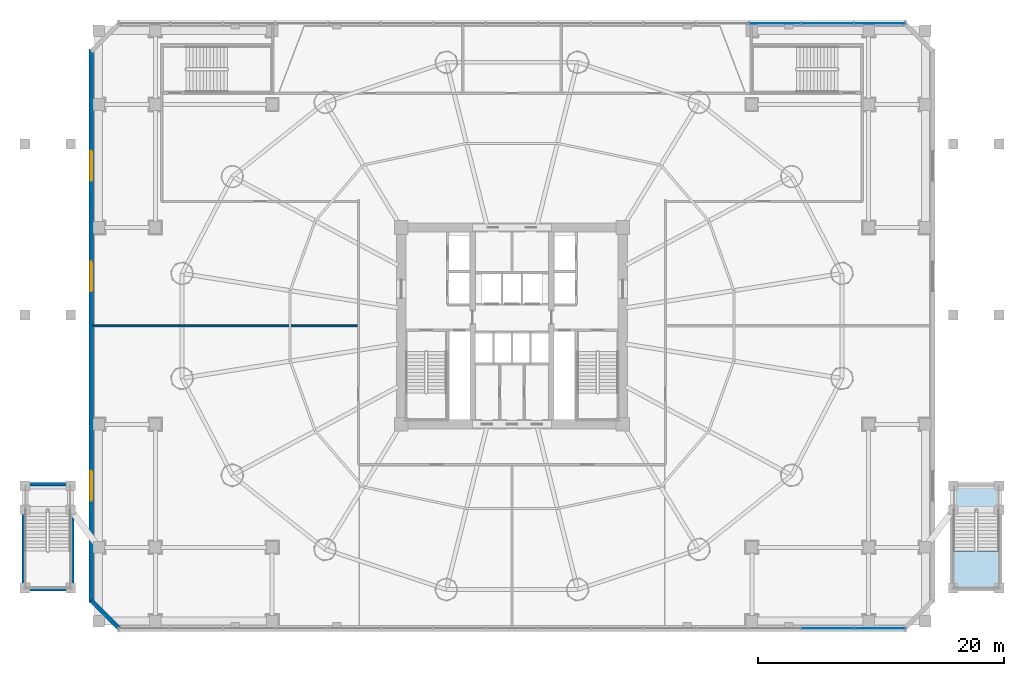
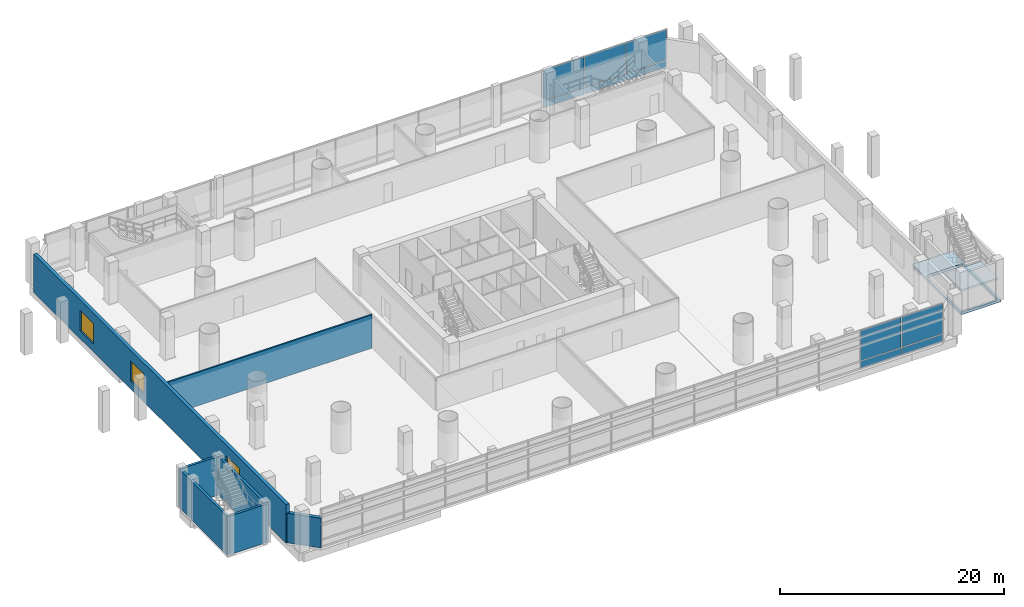
# One storey, part 20 of 36: 10 plates, 7 walls, 3 windows, 2 slabs, 3 openings, 3 elements without a shape of their own.
"""IFC4 building model written with IfcOpenShell, lengths in metres."""

from ifc_helpers import new_model, si_unit, direction, frame, frame_2d, origin, origin_2d, place, context, subcontext, project, spatial, polyline, rectangle, outline, extrude, source, transform, mapped, material, layer, layer_set, type_object, element, fill, aggregate, save


model = new_model("IFC4")

# Units and contexts
model_context = context("Model", 3, precision=1e-05, world=origin(), true_north=direction((-0.2419218956, 0.970295726276)))
body_context = subcontext(model_context, "Body", "Model", "MODEL_VIEW")
ifc_project = project(units=[si_unit("LENGTHUNIT", "METRE"), si_unit("AREAUNIT", "SQUARE_METRE"), si_unit("VOLUMEUNIT", "CUBIC_METRE"), si_unit("PLANEANGLEUNIT", "RADIAN"), si_unit("MASSUNIT", "GRAM", prefix="KILO")], contexts=[model_context])

# Site, building, storey
site_placement = place(None, origin())
site = spatial("IfcSite", under=ifc_project, at=site_placement, CompositionType="ELEMENT")
building_placement = place(site_placement, origin())
building = spatial("IfcBuilding", under=site, at=building_placement, Name="Cobrevalo Terracotta Tower", CompositionType="ELEMENT")
storey_placement = place(building_placement, frame((0.0, 0.0, 9.89990234375)))
storey = spatial("IfcBuildingStorey", under=building, at=storey_placement, Name="L02", CompositionType="ELEMENT", Elevation=9.89990234375)

# Slab
ifc_material_1 = material(Name="Concrete C50", Category="concrete")
ifc_layer_1 = layer(ifc_material_1, 0.300048828125)
ifc_layer_set_1 = layer_set([ifc_layer_1], Name="Concrete C50")
slab_type_1 = type_object("IfcSlabType", Name="Podium L01-L03 floor slab 300 mm", PredefinedType="FLOOR", material=ifc_layer_set_1)
slab_1_placement = place(storey_placement, frame((0.0, 0.0, -0.2998046875)))
element("IfcSlab", 1, at=slab_1_placement, inside=storey, type_object=slab_type_1, Name="L02 East monumental raised-garden stair structural floor landing slab", PredefinedType="FLOOR", context=body_context, shape_type="SweptSolid", body=[
    extrude(outline(polyline([(73.679931640625, 13.949951171875), (77.800048828125, 13.949951171875), (77.800048828125, 5.300048828125), (73.679931640625, 5.300048828125), (73.679931640625, 13.949951171875)]), holes=[polyline([(73.8798828125, 5.5), (77.60009765625, 5.5), (77.60009765625, 11.800048828125), (73.8798828125, 11.800048828125), (73.8798828125, 5.5)])]), origin(), (0.0, 0.0, 1.0), 0.2998046875),
])

# Stair, slab
ifc_material_2 = material(Name="Precast concrete C45", Category="concrete")
stair_type = type_object("IfcStairType", Name="Monumental raised-garden dogleg stair 1850", PredefinedType="HALF_TURN_STAIR", material=ifc_material_2)
stair_placement = place(storey_placement, origin())
stair = element("IfcStair", 2, at=stair_placement, inside=storey, type_object=stair_type, Name="L02 East monumental raised-garden stair", PredefinedType="HALF_TURN_STAIR")
ifc_layer_2 = layer(ifc_material_1, 0.199951171875)
ifc_layer_set_2 = layer_set([ifc_layer_2], Name="Concrete C50")
slab_type_2 = type_object("IfcSlabType", Name="Reinforced Concrete Stair Landing 200", PredefinedType="LANDING", material=ifc_layer_set_2)
slab_2_placement = place(storey_placement, frame((0.0, 0.0, 2.050048828125)))
slab_2 = element("IfcSlab", 3, at=slab_2_placement, type_object=slab_type_2, Name="ST-EXT-E landing 1", PredefinedType="LANDING", context=body_context, shape_type="SweptSolid", body=[
    extrude(outline(polyline([(73.8798828125, 8.489990234375), (73.8798828125, 5.5), (77.60009765625, 5.5), (77.60009765625, 8.489990234375), (73.8798828125, 8.489990234375)])), origin(), (0.0, 0.0, 1.0), 0.199951171875),
])
aggregate(stair, [slab_2])

# Curtain wall, plate
ifc_material_3 = material(Name="Anodized aluminium", Category="aluminium")
curtain_wall_type = type_object("IfcCurtainWallType", Name="Podium gallery & conservatory curtain wall CW-S2", PredefinedType="NOTDEFINED", material=ifc_material_3)
curtain_wall_1_placement = place(storey_placement, origin())
curtain_wall_1 = element("IfcCurtainWall", 4, at=curtain_wall_1_placement, inside=storey, type_object=curtain_wall_type, Name="L02 curtain wall CW-POD-L02-S", PredefinedType="NOTDEFINED")
ifc_material_4 = material(Name="Terracotta-faced insulated spandrel", Category="masonry")
ifc_layer_3 = layer(ifc_material_4, 0.044921875)
ifc_layer_set_3 = layer_set([ifc_layer_3], Name="Terracotta-faced insulated spandrel")
plate_type_1 = type_object("IfcPlateType", Name="Insulated terracotta-faced spandrel cassette 45 mm", PredefinedType="CURTAIN_PANEL", material=ifc_layer_set_3)
shared_shape_1 = source(origin(), body_context, "Body", "SweptSolid", [
    extrude(rectangle(XDim=4.1533203125, YDim=0.044921875, at=origin_2d()), origin(), (0.0, 0.0, 1.0), 0.739990234375),
])
plate_1_placement = place(storey_placement, frame((67.893310546875, 2.199951171875, 0.0400390625), z_axis=(0.0, 0.0, 1.0), x_axis=(1.0, 0.0, 0.0)))
plate_1 = element("IfcPlate", 5, at=plate_1_placement, type_object=plate_type_1, Name="CW-POD-L02-S terracotta spandrel panel B15", PredefinedType="CURTAIN_PANEL", context=body_context, shape_type="MappedRepresentation", body=[
    mapped(shared_shape_1, transform((0.0, 0.0, 0.0), scale=1.0)),
])

curtain_wall_2_placement = place(storey_placement, origin())
curtain_wall_2 = element("IfcCurtainWall", 6, at=curtain_wall_2_placement, inside=storey, type_object=curtain_wall_type, Name="L02 curtain wall CW-POD-L02-N", PredefinedType="NOTDEFINED")
plate_2_placement = place(storey_placement, frame((67.893310546875, 51.39990234375, 0.0400390625), z_axis=(0.0, 0.0, 1.0), x_axis=(-1.0, 0.0, 0.0)))
plate_2 = element("IfcPlate", 7, at=plate_2_placement, type_object=plate_type_1, Name="CW-POD-L02-N terracotta spandrel panel B01", PredefinedType="CURTAIN_PANEL", context=body_context, shape_type="MappedRepresentation", body=[
    mapped(shared_shape_1, transform((0.0, 0.0, 0.0), scale=1.0)),
])

# Plate
ifc_material_5 = material(Name="Laminated low-E double glazing", Category="glass")
ifc_layer_4 = layer(ifc_material_5, 0.031982421875)
ifc_layer_set_4 = layer_set([ifc_layer_4], Name="Laminated low-E double glazing")
plate_type_2 = type_object("IfcPlateType", Name="Podium clear acoustic laminated glazing panel 32 mm", PredefinedType="CURTAIN_PANEL", material=ifc_layer_set_4)
shared_shape_2 = source(origin(), body_context, "Body", "SweptSolid", [
    extrude(rectangle(XDim=4.1533203125, YDim=0.035888671875, at=origin_2d()), origin(), (0.0, 0.0, 1.0), 3.300048828125),
])
plate_3_placement = place(storey_placement, frame((67.893310546875, 2.199951171875, 0.85986328125), z_axis=(0.0, 0.0, 1.0), x_axis=(1.0, 0.0, 0.0)))
plate_3 = element("IfcPlate", 8, at=plate_3_placement, type_object=plate_type_2, Name="CW-POD-L02-S glazing panel B15", PredefinedType="CURTAIN_PANEL", context=body_context, shape_type="MappedRepresentation", body=[
    mapped(shared_shape_2, transform((0.0, 0.0, 0.0), scale=1.0)),
])

plate_4_placement = place(storey_placement, frame((67.893310546875, 51.39990234375, 0.85986328125), z_axis=(0.0, 0.0, 1.0), x_axis=(-1.0, 0.0, 0.0)))
plate_4 = element("IfcPlate", 9, at=plate_4_placement, type_object=plate_type_2, Name="CW-POD-L02-N glazing panel B01", PredefinedType="CURTAIN_PANEL", context=body_context, shape_type="MappedRepresentation", body=[
    mapped(shared_shape_2, transform((0.0, 0.0, 0.0), scale=1.0)),
])

shared_shape_3 = source(origin(), body_context, "Body", "SweptSolid", [
    extrude(rectangle(XDim=4.193359375, YDim=0.044921875, at=origin_2d()), origin(), (0.0, 0.0, 1.0), 0.739990234375),
])
plate_5_placement = place(storey_placement, frame((63.639892578125, 2.199951171875, 0.0400390625), z_axis=(0.0, 0.0, 1.0), x_axis=(1.0, 0.0, 0.0)))
plate_5 = element("IfcPlate", 10, at=plate_5_placement, type_object=plate_type_1, Name="CW-POD-L02-S terracotta spandrel panel B14", PredefinedType="CURTAIN_PANEL", context=body_context, shape_type="MappedRepresentation", body=[
    mapped(shared_shape_3, transform((0.0, 0.0, 0.0), scale=1.0)),
])

plate_6_placement = place(storey_placement, frame((63.639892578125, 51.39990234375, 0.0400390625), z_axis=(0.0, 0.0, 1.0), x_axis=(-1.0, 0.0, 0.0)))
plate_6 = element("IfcPlate", 11, at=plate_6_placement, type_object=plate_type_1, Name="CW-POD-L02-N terracotta spandrel panel B02", PredefinedType="CURTAIN_PANEL", context=body_context, shape_type="MappedRepresentation", body=[
    mapped(shared_shape_3, transform((0.0, 0.0, 0.0), scale=1.0)),
])

plate_7_placement = place(storey_placement, frame((59.36669921875, 51.39990234375, 0.0400390625), z_axis=(0.0, 0.0, 1.0), x_axis=(-1.0, 0.0, 0.0)))
plate_7 = element("IfcPlate", 12, at=plate_7_placement, type_object=plate_type_1, Name="CW-POD-L02-N terracotta spandrel panel B03", PredefinedType="CURTAIN_PANEL", context=body_context, shape_type="MappedRepresentation", body=[
    mapped(shared_shape_3, transform((0.0, 0.0, 0.0), scale=1.0)),
])

shared_shape_4 = source(origin(), body_context, "Body", "SweptSolid", [
    extrude(rectangle(XDim=4.193359375, YDim=0.035888671875, at=origin_2d()), origin(), (0.0, 0.0, 1.0), 3.300048828125),
])
plate_8_placement = place(storey_placement, frame((63.639892578125, 2.199951171875, 0.85986328125), z_axis=(0.0, 0.0, 1.0), x_axis=(1.0, 0.0, 0.0)))
plate_8 = element("IfcPlate", 13, at=plate_8_placement, type_object=plate_type_2, Name="CW-POD-L02-S glazing panel B14", PredefinedType="CURTAIN_PANEL", context=body_context, shape_type="MappedRepresentation", body=[
    mapped(shared_shape_4, transform((0.0, 0.0, 0.0), scale=1.0)),
])

aggregate(curtain_wall_1, [plate_5, plate_8, plate_1, plate_3])

plate_9_placement = place(storey_placement, frame((63.639892578125, 51.39990234375, 0.85986328125), z_axis=(0.0, 0.0, 1.0), x_axis=(-1.0, 0.0, 0.0)))
plate_9 = element("IfcPlate", 14, at=plate_9_placement, type_object=plate_type_2, Name="CW-POD-L02-N glazing panel B02", PredefinedType="CURTAIN_PANEL", context=body_context, shape_type="MappedRepresentation", body=[
    mapped(shared_shape_4, transform((0.0, 0.0, 0.0), scale=1.0)),
])

plate_10_placement = place(storey_placement, frame((59.36669921875, 51.39990234375, 0.85986328125), z_axis=(0.0, 0.0, 1.0), x_axis=(-1.0, 0.0, 0.0)))
plate_10 = element("IfcPlate", 15, at=plate_10_placement, type_object=plate_type_2, Name="CW-POD-L02-N glazing panel B03", PredefinedType="CURTAIN_PANEL", context=body_context, shape_type="MappedRepresentation", body=[
    mapped(shared_shape_4, transform((0.0, 0.0, 0.0), scale=1.0)),
])

aggregate(curtain_wall_2, [plate_2, plate_4, plate_6, plate_9, plate_7, plate_10])

# Wall, openings, windows
ifc_material_6 = material(Name="Concrete C45", Category="concrete")
ifc_layer_5 = layer(ifc_material_6, 0.35009765625)
ifc_layer_set_5 = layer_set([ifc_layer_5], Name="Concrete C45")
wall_type_1 = type_object("IfcWallType", Name="Board-marked precast architectural concrete facade wall 350 mm", PredefinedType="SOLIDWALL", material=ifc_layer_set_5)
wall_1_placement = place(storey_placement, frame((3.800048828125, 49.300048828125, 0.0), z_axis=(0.0, 0.0, 1.0), x_axis=(0.0, -1.0, 0.0)))
wall_1 = element("IfcWall", 16, at=wall_1_placement, inside=storey, type_object=wall_type_1, Name="L02 west podium facade wall", PredefinedType="SOLIDWALL", context=body_context, shape_type="SweptSolid", body=[
    extrude(rectangle(XDim=45.0, YDim=0.35009765625, at=frame_2d((22.5, 0.0))), origin(), (0.0, 0.0, 1.0), 4.2001953125),
])
opening_1_placement = place(wall_1_placement, frame((8.300048828125, 0.0, 0.85009765625)))
opening_1 = element("IfcOpeningElement", 17, at=opening_1_placement, cuts=wall_1, Name="Opening WN-09", PredefinedType="OPENING", context=body_context, shape_type="SweptSolid", body=[
    extrude(rectangle(XDim=2.39990234375, YDim=2.199951171875, at=frame_2d((1.199951171875, 1.10009765625))), frame((0.0, 0.18505859375, 0.0), z_axis=(0.0, -1.0, 0.0), x_axis=(1.0, 0.0, 0.0)), (0.0, 0.0, 1.0), 0.3701171875),
])
opening_2_placement = place(wall_1_placement, frame((17.300048828125, 0.0, 0.85009765625)))
opening_2 = element("IfcOpeningElement", 18, at=opening_2_placement, cuts=wall_1, Name="Opening WN-09", PredefinedType="OPENING", context=body_context, shape_type="SweptSolid", body=[
    extrude(rectangle(XDim=2.39990234375, YDim=2.199951171875, at=frame_2d((1.199951171875, 1.10009765625))), frame((0.0, 0.18505859375, 0.0), z_axis=(0.0, -1.0, 0.0), x_axis=(1.0, 0.0, 0.0)), (0.0, 0.0, 1.0), 0.3701171875),
])
opening_3_placement = place(wall_1_placement, frame((34.300048828125, 0.0, 0.85009765625)))
opening_3 = element("IfcOpeningElement", 19, at=opening_3_placement, cuts=wall_1, Name="Opening WN-09", PredefinedType="OPENING", context=body_context, shape_type="SweptSolid", body=[
    extrude(rectangle(XDim=2.39990234375, YDim=2.199951171875, at=frame_2d((1.199951171875, 1.10009765625))), frame((0.0, 0.18505859375, 0.0), z_axis=(0.0, -1.0, 0.0), x_axis=(1.0, 0.0, 0.0)), (0.0, 0.0, 1.0), 0.3701171875),
])
ifc_material_7 = material(Name="Solar-control low-E double glazing", Category="glass")
window_type = type_object("IfcWindowType", Name="Podium upper gallery bronze-anodized window 2400x2200", PartitioningType="SINGLE_PANEL", PredefinedType="WINDOW", material=ifc_material_7)
shared_shape_5 = source(origin(), body_context, "Body", "SweptSolid", [
    extrude(rectangle(XDim=2.39990234375, YDim=2.199951171875, at=frame_2d((1.199951171875, 1.10009765625))), frame((0.0, 0.030029296875, 0.0), z_axis=(0.0, -1.0, 0.0), x_axis=(1.0, 0.0, 0.0)), (0.0, 0.0, 1.0), 0.06005859375),
])
window_1_placement = place(opening_1_placement, origin())
window_1 = element("IfcWindow", 20, at=window_1_placement, inside=storey, type_object=window_type, Name="L02 west gallery window 1", OverallHeight=2.199951171875, OverallWidth=2.39990234375, PartitioningType="SINGLE_PANEL", PredefinedType="WINDOW", context=body_context, shape_type="MappedRepresentation", body=[
    mapped(shared_shape_5, transform((0.0, 0.0, 0.0), scale=1.0)),
])
fill(opening_1, window_1)
window_2_placement = place(opening_2_placement, origin())
window_2 = element("IfcWindow", 21, at=window_2_placement, inside=storey, type_object=window_type, Name="L02 west gallery window 2", OverallHeight=2.199951171875, OverallWidth=2.39990234375, PartitioningType="SINGLE_PANEL", PredefinedType="WINDOW", context=body_context, shape_type="MappedRepresentation", body=[
    mapped(shared_shape_5, transform((0.0, 0.0, 0.0), scale=1.0)),
])
fill(opening_2, window_2)
window_3_placement = place(opening_3_placement, origin())
window_3 = element("IfcWindow", 22, at=window_3_placement, inside=storey, type_object=window_type, Name="L02 west gallery window 3", OverallHeight=2.199951171875, OverallWidth=2.39990234375, PartitioningType="SINGLE_PANEL", PredefinedType="WINDOW", context=body_context, shape_type="MappedRepresentation", body=[
    mapped(shared_shape_5, transform((0.0, 0.0, 0.0), scale=1.0)),
])
fill(opening_3, window_3)

# Walls
wall_2_placement = place(storey_placement, frame((3.800048828125, 4.47998046875, 0.0), z_axis=(0.0, 0.0, 1.0), x_axis=(0.707106781187, -0.707106781187, 0.0)))
element("IfcWall", 23, at=wall_2_placement, inside=storey, type_object=wall_type_1, Name="L02 chamfered corner pier SW", PredefinedType="SOLIDWALL", context=body_context, shape_type="SweptSolid", body=[
    extrude(rectangle(XDim=3.224365234375, YDim=0.35009765625, at=frame_2d((1.6123046875, 0.0))), origin(), (0.0, 0.0, 1.0), 3.235107421875),
])
ifc_layer_6 = layer(ifc_material_1, 0.25)
ifc_layer_set_6 = layer_set([ifc_layer_6], Name="Concrete C50")
wall_type_2 = type_object("IfcWallType", Name="Exterior raised-garden stair shaft RC wall 250 mm Concrete C50", PredefinedType="SOLIDWALL", material=ifc_layer_set_6)
for number, where, z_axis, x_axis, name in (
    (24, (-1.72509765625, 5.25, 0.0), (0.0, 0.0, 1.0), (0.0, 1.0, 0.0), "L02 West monumental raised-garden stair structural shaft wall W"),
    (25, (2.2451171875, 5.25, 0.0), (0.0, 0.0, 1.0), (0.0, 1.0, 0.0), "L02 West monumental raised-garden stair structural shaft wall E"),
):
    element("IfcWall", number, at=place(storey_placement, frame(where, z_axis=z_axis, x_axis=x_axis)), inside=storey, type_object=wall_type_2, Name=name, PredefinedType="SOLIDWALL", context=body_context, shape_type="SweptSolid", body=[
        extrude(rectangle(XDim=8.675048828125, YDim=0.25, at=frame_2d((4.33740234375, 0.0))), origin(), (0.0, 0.0, 1.0), 4.2001953125),
    ])
for number, where, z_axis, x_axis, name in (
    (26, (-1.85009765625, 5.375, 0.0), (0.0, 0.0, 1.0), (1.0, 0.0, 0.0), "L02 West monumental raised-garden stair structural shaft wall S"),
    (27, (-1.85009765625, 13.925048828125, 0.0), (0.0, 0.0, 1.0), (1.0, 0.0, 0.0), "L02 West monumental raised-garden stair structural shaft wall N"),
):
    element("IfcWall", number, at=place(storey_placement, frame(where, z_axis=z_axis, x_axis=x_axis)), inside=storey, type_object=wall_type_2, Name=name, PredefinedType="SOLIDWALL", context=body_context, shape_type="SweptSolid", body=[
        extrude(rectangle(XDim=4.22021484375, YDim=0.25, at=frame_2d((2.110107421875, 0.0))), origin(), (0.0, 0.0, 1.0), 4.2001953125),
    ])
ifc_material_8 = material(Name="Gypsum board on steel stud", Category="steel")
ifc_layer_7 = layer(ifc_material_8, 0.159912109375)
ifc_layer_set_7 = layer_set([ifc_layer_7], Name="Gypsum board on steel stud")
wall_type_3 = type_object("IfcWallType", Name="Fire-rated corridor acoustic partition wall 160 mm", PredefinedType="PARTITIONING", material=ifc_layer_set_7)
wall_3_placement = place(storey_placement, frame((3.9599609375, 26.800048828125, 0.0), z_axis=(0.0, 0.0, 1.0), x_axis=(1.0, 0.0, 0.0)))
element("IfcWall", 28, at=wall_3_placement, inside=storey, type_object=wall_type_3, Name="L02 interior partition IW-L02-PW-M", PredefinedType="PARTITIONING", context=body_context, shape_type="SweptSolid", body=[
    extrude(rectangle(XDim=21.47802734375, YDim=0.159912109375, at=frame_2d((10.739013671875, 0.0))), origin(), (0.0, 0.0, 1.0), 3.64208984375),
])

save(model, "model.ifc")
